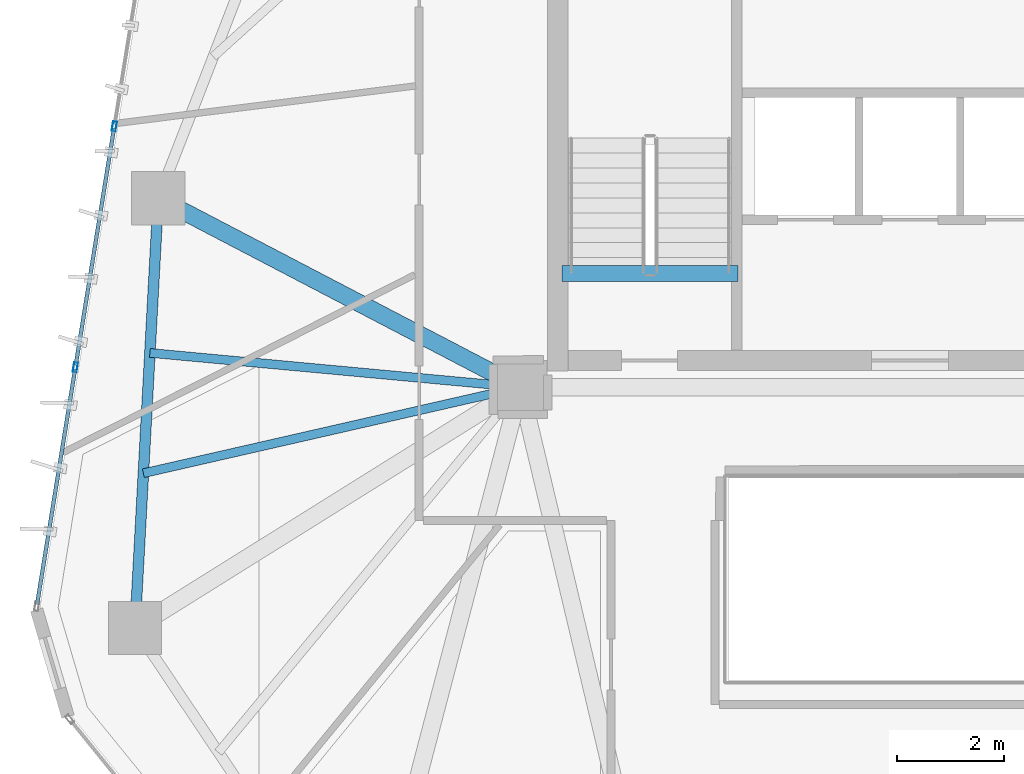
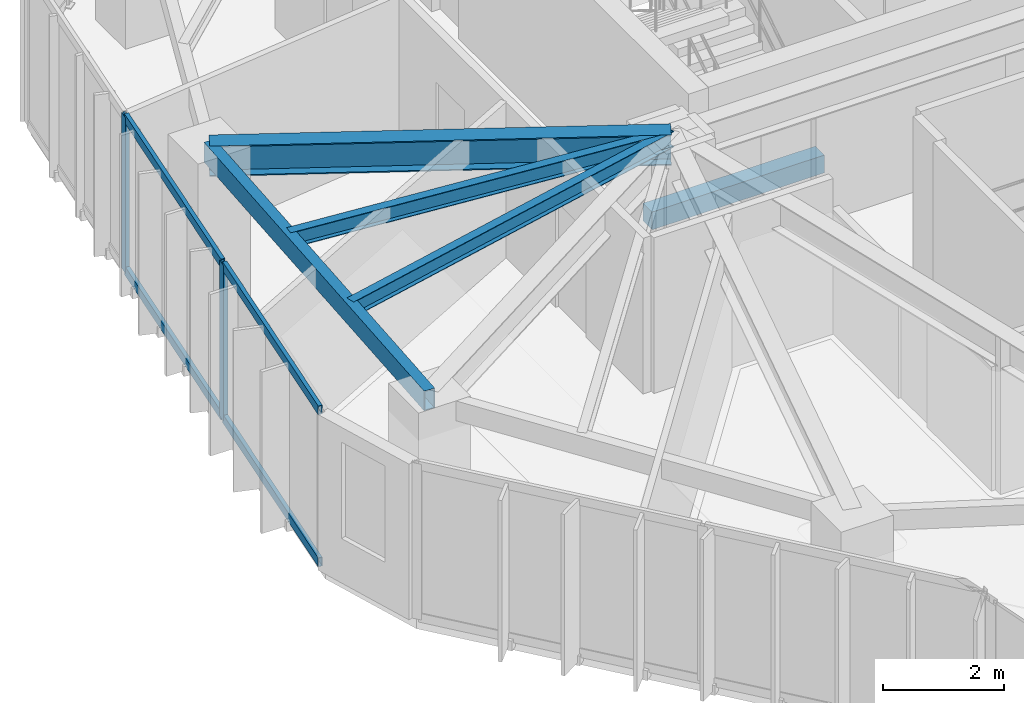
# One storey, part 7 of 20: 6 members, 5 beams, 1 element without a shape of its own.
"""IFC4 building model written with IfcOpenShell, lengths in metres."""

from ifc_helpers import new_model, si_unit, direction, frame, origin, origin_2d, place, context, subcontext, project, spatial, rectangle, hollow_rectangle, i_section, extrude, source, transform, mapped, material, layer, layer_set, material_profile, profile_set, type_object, type_shapes, element, aggregate, save


model = new_model("IFC4")

# Units and contexts
model_context = context("Model", 3, precision=1e-05, world=origin(), true_north=direction((0.0, 1.0)))
body_context = subcontext(model_context, "Body", "Model", "MODEL_VIEW")
ifc_project = project(units=[si_unit("LENGTHUNIT", "METRE"), si_unit("AREAUNIT", "SQUARE_METRE"), si_unit("VOLUMEUNIT", "CUBIC_METRE"), si_unit("PLANEANGLEUNIT", "RADIAN"), si_unit("MASSUNIT", "GRAM", prefix="KILO")], contexts=[model_context])

# Site, building, storey
site_placement = place(None, origin())
site = spatial("IfcSite", under=ifc_project, at=site_placement, CompositionType="ELEMENT")
building_placement = place(site_placement, origin())
building = spatial("IfcBuilding", under=site, at=building_placement, Name="Talar Marvaseh", CompositionType="ELEMENT")
storey_placement = place(building_placement, frame((0.0, 0.0, 198.5)))
storey = spatial("IfcBuildingStorey", under=building, at=storey_placement, Name="L52", CompositionType="ELEMENT", Elevation=198.5)

# Beams
ifc_material_1 = material(Name="Concrete C40/50", Category="concrete")
ifc_material_profile_1 = material_profile(ifc_material_1, rectangle(XDim=0.300048828125, YDim=0.360107421875, at=origin_2d()), Name="RC300x360")
ifc_profile_set_1 = profile_set([ifc_material_profile_1], Name="Concrete C40/50")
beam_type_1 = type_object("IfcBeamType", Name="Concrete Stair Landing Trimmer Beam RC300x360", PredefinedType="SPANDREL", material=ifc_profile_set_1)
beam_1_placement = place(storey_placement, frame((22.780029296875, 27.6298828125, -0.179931640625), z_axis=(-1.0, 0.0, 0.0), x_axis=(0.0, -1.0, 0.0)))
element("IfcBeam", 1, at=beam_1_placement, inside=storey, type_object=beam_type_1, Name="L52 ST-1 Stair Nosing Trimmer Beam", PredefinedType="SPANDREL", context=body_context, shape_type="SweptSolid", body=[
    extrude(rectangle(XDim=0.300048828125, YDim=0.360107421875, at=origin_2d()), origin(), (0.0, 0.0, 1.0), 3.300048828125),
])
ifc_material_2 = material(Name="Steel S355", Category="steel")
ifc_material_profile_2 = material_profile(ifc_material_2, hollow_rectangle(XDim=0.199951171875, YDim=0.39990234375, WallThickness=0.013916015625, at=origin_2d()), Name="RHS400x200x14")
ifc_profile_set_2 = profile_set([ifc_material_profile_2], Name="Steel S355")
beam_type_2 = type_object("IfcBeamType", Name="Zone 3 Perimeter Spandrel Beam RHS400x200x14", PredefinedType="SPANDREL", material=ifc_profile_set_2)
beam_2_placement = place(storey_placement, frame((11.471923828125, 20.986083984375, 2.949951171875), z_axis=(0.054148078426, 0.998532916635, 0.0), x_axis=(-0.998532916635, 0.054148078426, 0.0)))
element("IfcBeam", 2, at=beam_2_placement, inside=storey, type_object=beam_type_2, Name="L52 Zone 3 Perimeter Spandrel Beam RHS400x200x14", PredefinedType="SPANDREL", context=body_context, shape_type="SweptSolid", body=[
    extrude(hollow_rectangle(XDim=0.199951171875, YDim=0.39990234375, WallThickness=0.013916015625, at=origin_2d()), origin(), (0.0, 0.0, 1.0), 8.070556640625),
])
ifc_material_profile_3 = material_profile(ifc_material_2, i_section(OverallWidth=0.324951171875, OverallDepth=0.615966796875, WebThickness=0.013916015625, FlangeThickness=0.021484375, at=origin_2d()), Name="W610x174")
ifc_profile_set_3 = profile_set([ifc_material_profile_3], Name="Steel S355")
beam_type_3 = type_object("IfcBeamType", Name="Zone 3 Radial Floor Girder W610x174", PredefinedType="BEAM", material=ifc_profile_set_3)
beam_3_placement = place(storey_placement, frame((11.908935546875, 29.044921875, 2.842041015625), z_axis=(0.886489360055, -0.462748975697, 0.0), x_axis=(0.462748975697, 0.886489360055, 0.0)))
element("IfcBeam", 3, at=beam_3_placement, inside=storey, type_object=beam_type_3, Name="L52 Zone 3 Radial Floor Girder W610x174", PredefinedType="BEAM", context=body_context, shape_type="SweptSolid", body=[
    extrude(i_section(OverallWidth=0.324951171875, OverallDepth=0.615966796875, WebThickness=0.013916015625, FlangeThickness=0.021484375, at=origin_2d()), origin(), (0.0, 0.0, 1.0), 7.66064453125),
])
ifc_material_profile_4 = material_profile(ifc_material_2, i_section(OverallWidth=0.166015625, OverallDepth=0.31298828125, WebThickness=0.006591796875, FlangeThickness=0.01123046875, at=origin_2d()), Name="W310x45")
ifc_profile_set_4 = profile_set([ifc_material_profile_4], Name="Steel S355")
beam_type_4 = type_object("IfcBeamType", Name="Zone 3 Secondary Floor Joist W310x45", PredefinedType="JOIST", material=ifc_profile_set_4)
beam_4_placement = place(storey_placement, frame((11.62939453125, 23.88720703125, 2.993408203125), z_axis=(0.974958279205, 0.222387845462, 0.0), x_axis=(-0.222387845462, 0.974958279205, 0.0)))
element("IfcBeam", 4, at=beam_4_placement, inside=storey, type_object=beam_type_4, Name="L52 Zone 3 Secondary Floor Joist W310x45", PredefinedType="JOIST", context=body_context, shape_type="SweptSolid", body=[
    extrude(i_section(OverallWidth=0.166015625, OverallDepth=0.31298828125, WebThickness=0.006591796875, FlangeThickness=0.01123046875, at=origin_2d()), origin(), (0.0, 0.0, 1.0), 7.252197265625),
])
beam_5_placement = place(storey_placement, frame((11.751708984375, 26.143798828125, 2.993408203125), z_axis=(0.995734842854, -0.092261165868, 0.0), x_axis=(0.092261165868, 0.995734842854, 0.0)))
element("IfcBeam", 5, at=beam_5_placement, inside=storey, type_object=beam_type_4, Name="L52 Zone 3 Secondary Floor Joist W310x45", PredefinedType="JOIST", context=body_context, shape_type="SweptSolid", body=[
    extrude(i_section(OverallWidth=0.166015625, OverallDepth=0.31298828125, WebThickness=0.006591796875, FlangeThickness=0.01123046875, at=origin_2d()), origin(), (0.0, 0.0, 1.0), 6.97802734375),
])

# Curtain wall, members
ifc_material_3 = material(Name="Architectural Aluminium", Category="aluminium")
ifc_layer = layer(ifc_material_3, 0.18994140625)
ifc_layer_set = layer_set([ifc_layer], Name="Architectural Aluminium")
curtain_wall_type = type_object("IfcCurtainWallType", Name="Unitised Solar Atelier Curtain Wall Z3", PredefinedType="NOTDEFINED", material=ifc_layer_set)
curtain_wall_placement = place(storey_placement, origin())
curtain_wall = element("IfcCurtainWall", 6, at=curtain_wall_placement, inside=storey, type_object=curtain_wall_type, Name="L52 Unitised Solar Atelier Curtain Wall Z3", PredefinedType="NOTDEFINED")
ifc_material_profile_5 = material_profile(ifc_material_3, hollow_rectangle(XDim=0.074951171875, YDim=0.179931640625, WallThickness=0.0048828125, at=origin_2d()), Name="RHS180x75x5")
ifc_profile_set_5 = profile_set([ifc_material_profile_5], Name="Architectural Aluminium")
member_type_1 = type_object("IfcMemberType", Name="Unitised Curtain Wall Transom RHS180x75x5", PredefinedType="USERDEFINED", material=ifc_profile_set_5)
shared_shape_1 = source(origin(), body_context, "Body", "SweptSolid", [
    extrude(hollow_rectangle(XDim=0.074951171875, YDim=0.179931640625, WallThickness=0.0048828125, at=origin_2d()), origin(), (0.0, 0.0, 1.0), 4.464599609375),
])
member_1_placement = place(storey_placement, frame((9.635986328125, 21.427978515625, 0.03759765625), z_axis=(0.159564242049, 0.987187546852, 0.0), x_axis=(-0.987187546852, 0.159564242049, 0.0)))
member_1 = element("IfcMember", 7, at=member_1_placement, type_object=member_type_1, Name="CW-Z3 transom 1.1", ObjectType="TRANSOM", PredefinedType="USERDEFINED", context=body_context, shape_type="MappedRepresentation", body=[
    mapped(shared_shape_1, transform((0.0, 0.0, 0.0), x_axis=(1.0, 0.0, 0.0), y_axis=(0.0, 1.0, 0.0), z_axis=(0.0, 0.0, 1.0), scale=1.0)),
])
member_2_placement = place(storey_placement, frame((9.635986328125, 21.427978515625, 3.112548828125), z_axis=(0.159564242049, 0.987187546852, 0.0), x_axis=(-0.987187546852, 0.159564242049, 0.0)))
member_2 = element("IfcMember", 8, at=member_2_placement, type_object=member_type_1, Name="CW-Z3 transom 1.2", ObjectType="TRANSOM", PredefinedType="USERDEFINED", context=body_context, shape_type="MappedRepresentation", body=[
    mapped(shared_shape_1, transform((0.0, 0.0, 0.0), x_axis=(1.0, 0.0, 0.0), y_axis=(0.0, 1.0, 0.0), z_axis=(0.0, 0.0, 1.0), scale=1.0)),
])
shared_shape_2 = source(origin(), body_context, "Body", "SweptSolid", [
    extrude(hollow_rectangle(XDim=0.074951171875, YDim=0.179931640625, WallThickness=0.0048828125, at=origin_2d()), origin(), (0.0, 0.0, 1.0), 4.502197265625),
])
type_shapes(member_type_1, [shared_shape_1, shared_shape_2])
member_3_placement = place(storey_placement, frame((10.3603515625, 25.909423828125, 0.03759765625), z_axis=(0.159587042226, 0.987183861271, 0.0), x_axis=(-0.987183861271, 0.159587042226, 0.0)))
member_3 = element("IfcMember", 9, at=member_3_placement, type_object=member_type_1, Name="CW-Z3 transom 2.1", ObjectType="TRANSOM", PredefinedType="USERDEFINED", context=body_context, shape_type="MappedRepresentation", body=[
    mapped(shared_shape_2, transform((0.0, 0.0, 0.0), x_axis=(1.0, 0.0, 0.0), y_axis=(0.0, 1.0, 0.0), z_axis=(0.0, 0.0, 1.0), scale=1.0)),
])
member_4_placement = place(storey_placement, frame((10.3603515625, 25.909423828125, 3.112548828125), z_axis=(0.159587042226, 0.987183861271, 0.0), x_axis=(-0.987183861271, 0.159587042226, 0.0)))
member_4 = element("IfcMember", 10, at=member_4_placement, type_object=member_type_1, Name="CW-Z3 transom 2.2", ObjectType="TRANSOM", PredefinedType="USERDEFINED", context=body_context, shape_type="MappedRepresentation", body=[
    mapped(shared_shape_2, transform((0.0, 0.0, 0.0), x_axis=(1.0, 0.0, 0.0), y_axis=(0.0, 1.0, 0.0), z_axis=(0.0, 0.0, 1.0), scale=1.0)),
])
ifc_material_profile_6 = material_profile(ifc_material_3, hollow_rectangle(XDim=0.074951171875, YDim=0.179931640625, WallThickness=0.0048828125, at=origin_2d()), Name="RHS180x75x5")
ifc_profile_set_6 = profile_set([ifc_material_profile_6], Name="Architectural Aluminium")
member_type_2 = type_object("IfcMemberType", Name="Unitised Curtain Wall Standard Mullion RHS180x75x5", PredefinedType="MULLION", material=ifc_profile_set_6)
shared_shape_3 = source(origin(), body_context, "Body", "SweptSolid", [
    extrude(hollow_rectangle(XDim=0.074951171875, YDim=0.179931640625, WallThickness=0.0048828125, at=origin_2d()), origin(), (0.0, 0.0, 1.0), 3.14990234375),
])
type_shapes(member_type_2, [shared_shape_3])
member_5_placement = place(storey_placement, frame((10.3544921875, 25.87255859375, 0.0), z_axis=(0.0, 0.0, 1.0), x_axis=(-0.987186333682, 0.159571747475, 0.0)))
member_5 = element("IfcMember", 11, at=member_5_placement, type_object=member_type_2, Name="CW-Z3 mullion 2", PredefinedType="MULLION", context=body_context, shape_type="MappedRepresentation", body=[
    mapped(shared_shape_3, transform((0.0, 0.0, 0.0), x_axis=(1.0, 0.0, 0.0), y_axis=(0.0, 1.0, 0.0), z_axis=(0.0, 0.0, 1.0), scale=1.0)),
])
member_6_placement = place(storey_placement, frame((11.084716796875, 30.39111328125, 0.0), z_axis=(0.0, 0.0, 1.0), x_axis=(-0.987186333682, 0.159571747475, 0.0)))
member_6 = element("IfcMember", 12, at=member_6_placement, type_object=member_type_2, Name="CW-Z3 mullion 3", PredefinedType="MULLION", context=body_context, shape_type="MappedRepresentation", body=[
    mapped(shared_shape_3, transform((0.0, 0.0, 0.0), x_axis=(1.0, 0.0, 0.0), y_axis=(0.0, 1.0, 0.0), z_axis=(0.0, 0.0, 1.0), scale=1.0)),
])
aggregate(curtain_wall, [member_5, member_6, member_1, member_2, member_3, member_4])

save(model, "model.ifc")
